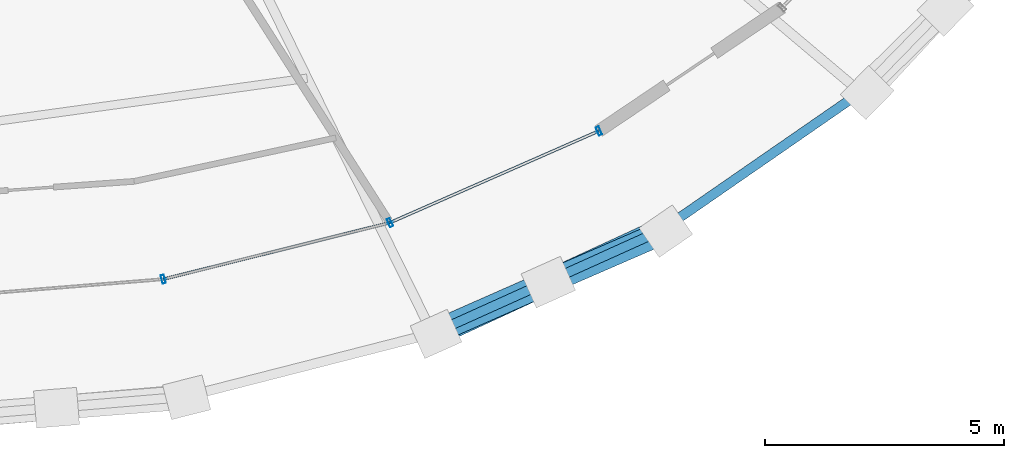
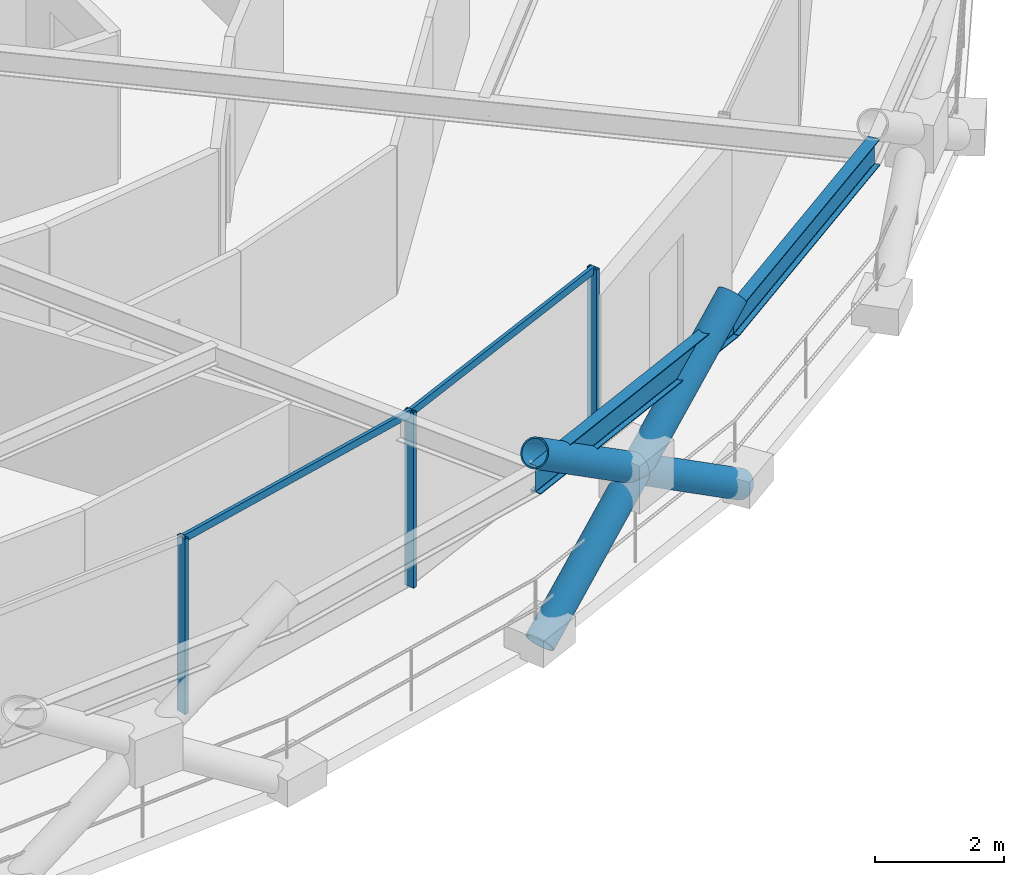
# One storey, part 4 of 17: 8 members, 2 beams, 1 element without a shape of its own.
"""IFC4 building model written with IfcOpenShell, lengths in metres."""

from ifc_helpers import new_model, si_unit, direction, frame, origin, origin_2d, place, context, subcontext, project, spatial, hollow_rectangle, hollow_circle, i_section, extrude, material, layer, layer_set, material_profile, profile_set, type_object, element, aggregate, save


model = new_model("IFC4")

# Units and contexts
model_context = context("Model", 3, precision=1e-05, world=origin(), true_north=direction((0.0, 1.0)))
body_context = subcontext(model_context, "Body", "Model", "MODEL_VIEW")
ifc_project = project(units=[si_unit("LENGTHUNIT", "METRE"), si_unit("AREAUNIT", "SQUARE_METRE"), si_unit("VOLUMEUNIT", "CUBIC_METRE"), si_unit("PLANEANGLEUNIT", "RADIAN"), si_unit("MASSUNIT", "GRAM", prefix="KILO")], contexts=[model_context])

# Site, building, storey
site_placement = place(None, origin())
site = spatial("IfcSite", under=ifc_project, at=site_placement, CompositionType="ELEMENT")
building_placement = place(site_placement, origin())
building = spatial("IfcBuilding", under=site, at=building_placement, Name="Veldorina Hangang Commons", CompositionType="ELEMENT")
storey_placement = place(building_placement, frame((0.0, 0.0, 178.39990234375)))
storey = spatial("IfcBuildingStorey", under=building, at=storey_placement, Name="L46", CompositionType="ELEMENT", Elevation=178.39990234375)

# Beams
ifc_material_1 = material(Name="Steel SM420-TMC", Category="steel")
ifc_material_profile_1 = material_profile(ifc_material_1, i_section(OverallWidth=0.199951171875, OverallDepth=0.5, WebThickness=0.010009765625, FlangeThickness=0.01611328125, FilletRadius=0.01611328125, at=origin_2d()), Name="H-500x200x10x16")
ifc_profile_set_1 = profile_set([ifc_material_profile_1], Name="Steel SM420-TMC")
beam_type = type_object("IfcBeamType", Name="BM-RB500", PredefinedType="BEAM", material=ifc_profile_set_1)
beam_1_placement = place(storey_placement, frame((42.56494140625, 2.494384765625, 3.10009765625), z_axis=(0.911677889798, 0.410905615991, 0.0), x_axis=(-0.410905615991, 0.911677889798, 0.0)))
element("IfcBeam", 1, at=beam_1_placement, inside=storey, type_object=beam_type, Name="L46 perimeter hoop ring beam 26", PredefinedType="BEAM", context=body_context, shape_type="SweptSolid", body=[
    extrude(i_section(OverallWidth=0.199951171875, OverallDepth=0.5, WebThickness=0.010009765625, FlangeThickness=0.01611328125, FilletRadius=0.01611328125, at=origin_2d()), origin(), (0.0, 0.0, 1.0), 5.235107421875),
])
beam_2_placement = place(storey_placement, frame((47.337646484375, 4.6455078125, 3.10009765625), z_axis=(0.822335555999, 0.56900284124, 0.0), x_axis=(-0.56900284124, 0.822335555999, 0.0)))
element("IfcBeam", 2, at=beam_2_placement, inside=storey, type_object=beam_type, Name="L46 perimeter hoop ring beam 27", PredefinedType="BEAM", context=body_context, shape_type="SweptSolid", body=[
    extrude(i_section(OverallWidth=0.199951171875, OverallDepth=0.5, WebThickness=0.010009765625, FlangeThickness=0.01611328125, FilletRadius=0.01611328125, at=origin_2d()), origin(), (0.0, 0.0, 1.0), 5.08740234375),
])

# Curtain wall, members
ifc_material_2 = material(Name="Glass Low-E Triple IGU", Category="glass")
ifc_layer = layer(ifc_material_2, 0.179931640625)
ifc_layer_set = layer_set([ifc_layer], Name="Glass Low-E Triple IGU")
curtain_wall_type = type_object("IfcCurtainWallType", Name="CW-SYS-Z2", PredefinedType="NOTDEFINED", material=ifc_layer_set)
curtain_wall_placement = place(storey_placement, origin())
curtain_wall = element("IfcCurtainWall", 3, at=curtain_wall_placement, inside=storey, type_object=curtain_wall_type, Name="L46 unitised curtain wall CW-L46-R1", PredefinedType="NOTDEFINED")
ifc_material_3 = material(Name="Aluminium Anodized AA6063-T6", Category="aluminium")
ifc_material_profile_2 = material_profile(ifc_material_3, hollow_rectangle(XDim=0.070068359375, YDim=0.179931640625, WallThickness=0.00390625, at=origin_2d()), Name="ALU-RHS-180x70x4")
ifc_profile_set_2 = profile_set([ifc_material_profile_2], Name="Aluminium Anodized AA6063-T6")
member_type_1 = type_object("IfcMemberType", Name="CW-MUL-180", PredefinedType="MULLION", material=ifc_profile_set_2)
member_1_placement = place(storey_placement, frame((36.931884765625, 3.631103515625, 0.0), z_axis=(0.0, 0.0, 1.0), x_axis=(0.970316834249, 0.241837220403, 0.0)))
member_1 = element("IfcMember", 4, at=member_1_placement, type_object=member_type_1, Name="CW-L46-R1 vertical mullion 3", PredefinedType="MULLION", context=body_context, shape_type="SweptSolid", body=[
    extrude(hollow_rectangle(XDim=0.070068359375, YDim=0.179931640625, WallThickness=0.00390625, at=origin_2d()), origin(), (0.0, 0.0, 1.0), 3.31005859375),
])
member_2_placement = place(storey_placement, frame((41.674072265625, 4.81298828125, 0.0), z_axis=(0.0, 0.0, 1.0), x_axis=(0.915620496446, 0.402043662414, 0.0)))
member_2 = element("IfcMember", 5, at=member_2_placement, type_object=member_type_1, Name="CW-L46-R1 vertical mullion 4", PredefinedType="MULLION", context=body_context, shape_type="SweptSolid", body=[
    extrude(hollow_rectangle(XDim=0.070068359375, YDim=0.179931640625, WallThickness=0.00390625, at=origin_2d()), origin(), (0.0, 0.0, 1.0), 3.31005859375),
])
member_3_placement = place(storey_placement, frame((46.04443359375, 6.732177734375, 0.0), z_axis=(0.0, 0.0, 1.0), x_axis=(-0.915620496446, -0.402043662414, 0.0)))
member_3 = element("IfcMember", 6, at=member_3_placement, type_object=member_type_1, Name="CW-L46-R1 vertical mullion 5", PredefinedType="MULLION", context=body_context, shape_type="SweptSolid", body=[
    extrude(hollow_rectangle(XDim=0.070068359375, YDim=0.179931640625, WallThickness=0.00390625, at=origin_2d()), origin(), (0.0, 0.0, 1.0), 3.31005859375),
])
ifc_material_profile_3 = material_profile(ifc_material_3, hollow_rectangle(XDim=0.06005859375, YDim=0.139892578125, WallThickness=0.00341796875, at=origin_2d()), Name="ALU-RHS-140x60x3.5")
ifc_profile_set_3 = profile_set([ifc_material_profile_3], Name="Aluminium Anodized AA6063-T6")
member_type_2 = type_object("IfcMemberType", Name="CW-TRN-140", PredefinedType="USERDEFINED", material=ifc_profile_set_3)
member_4_placement = place(storey_placement, frame((36.931884765625, 3.631103515625, 3.27001953125), z_axis=(0.970318554235, 0.241830319247, 0.0), x_axis=(-0.241830319247, 0.970318554235, 0.0)))
member_4 = element("IfcMember", 7, at=member_4_placement, type_object=member_type_2, Name="CW-L46-R1 facet 3 transom 1", ObjectType="TRANSOM", PredefinedType="USERDEFINED", context=body_context, shape_type="SweptSolid", body=[
    extrude(hollow_rectangle(XDim=0.06005859375, YDim=0.139892578125, WallThickness=0.00341796875, at=origin_2d()), origin(), (0.0, 0.0, 1.0), 4.88720703125),
])
member_5_placement = place(storey_placement, frame((41.674072265625, 4.81298828125, 3.27001953125), z_axis=(0.915605913569, 0.40207687205, 0.0), x_axis=(-0.40207687205, 0.915605913569, 0.0)))
member_5 = element("IfcMember", 8, at=member_5_placement, type_object=member_type_2, Name="CW-L46-R1 facet 4 transom 1", ObjectType="TRANSOM", PredefinedType="USERDEFINED", context=body_context, shape_type="SweptSolid", body=[
    extrude(hollow_rectangle(XDim=0.06005859375, YDim=0.139892578125, WallThickness=0.00341796875, at=origin_2d()), origin(), (0.0, 0.0, 1.0), 4.773193359375),
])
aggregate(curtain_wall, [member_1, member_2, member_3, member_4, member_5])

# Members
ifc_material_profile_4 = material_profile(ifc_material_1, hollow_circle(Radius=0.25, WallThickness=0.02490234375, at=origin_2d()), Name="CHS-500x25")
ifc_profile_set_4 = profile_set([ifc_material_profile_4], Name="Steel SM420-TMC")
member_type_3 = type_object("IfcMemberType", Name="DG-CHS500", PredefinedType="BRACE", material=ifc_profile_set_4)
member_6_placement = place(storey_placement, frame((42.638427734375, 2.48486328125, 0.0), z_axis=(0.744436346632, 0.343765162466, 0.572398496581), x_axis=(-0.419238290102, 0.907876233918, 0.0)))
element("IfcMember", 9, at=member_6_placement, inside=storey, type_object=member_type_3, Name="L46 continuous perimeter diagrid brace 26", PredefinedType="BRACE", context=body_context, shape_type="SweptSolid", body=[
    extrude(hollow_circle(Radius=0.25, WallThickness=0.02490234375, at=origin_2d()), origin(), (0.0, 0.0, 1.0), 6.28955078125),
])
member_7_placement = place(storey_placement, frame((47.444580078125, 4.63671875, 0.0), z_axis=(-0.760537743423, -0.330284200348, 0.559012243005), x_axis=(0.398336194431, -0.917239486833, 0.0)))
element("IfcMember", 10, at=member_7_placement, inside=storey, type_object=member_type_3, Name="L46 split perimeter diagrid lower brace 27", PredefinedType="BRACE", context=body_context, shape_type="SweptSolid", body=[
    extrude(hollow_circle(Radius=0.25, WallThickness=0.02490234375, at=origin_2d()), origin(), (0.0, 0.0, 1.0), 3.23095703125),
])
member_8_placement = place(storey_placement, frame((44.9873046875, 3.569580078125, 1.80615234375), z_axis=(-0.75863480377, -0.334541894712, 0.559066145632), x_axis=(0.403488832696, -0.914984569209, 0.0)))
element("IfcMember", 11, at=member_8_placement, inside=storey, type_object=member_type_3, Name="L46 split perimeter diagrid upper brace 27", PredefinedType="BRACE", context=body_context, shape_type="SweptSolid", body=[
    extrude(hollow_circle(Radius=0.25, WallThickness=0.02490234375, at=origin_2d()), origin(), (0.0, 0.0, 1.0), 3.208740234375),
])

save(model, "model.ifc")
